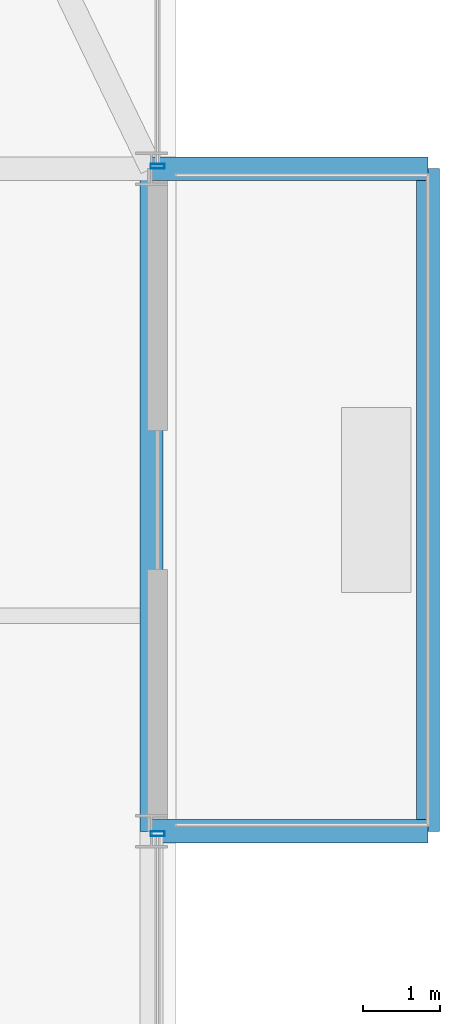
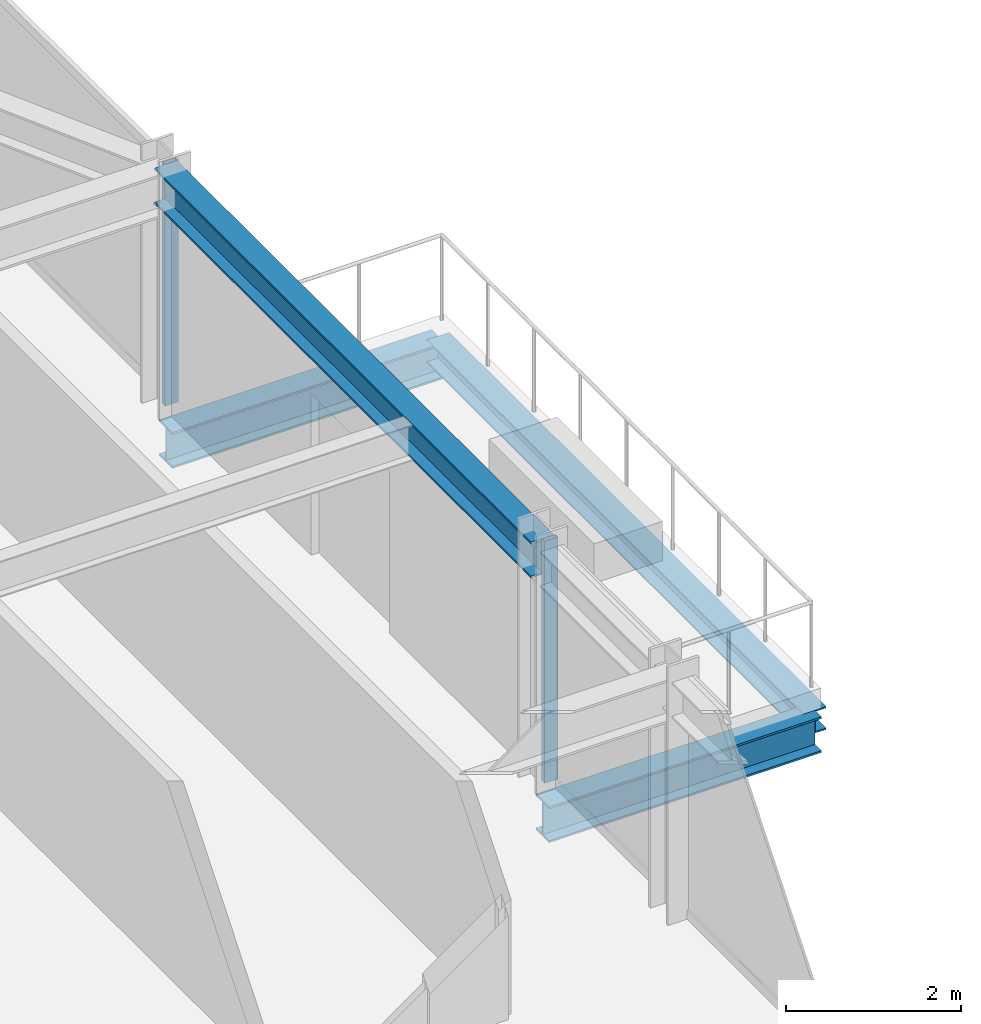
# One storey, part 25 of 36: 4 beams, 2 members, 2 elements without a shape of their own.
"""IFC4 building model written with IfcOpenShell, lengths in metres."""

from ifc_helpers import new_model, si_unit, direction, frame, origin, origin_2d, place, context, subcontext, project, spatial, hollow_rectangle, i_section, extrude, source, transform, mapped, material, material_profile, profile_set, type_object, element, aggregate, save


model = new_model("IFC4")

# Units and contexts
model_context = context("Model", 3, precision=1e-05, world=origin(), true_north=direction((0.0, 1.0)))
body_context = subcontext(model_context, "Body", "Model", "MODEL_VIEW")
ifc_project = project(units=[si_unit("LENGTHUNIT", "METRE"), si_unit("AREAUNIT", "SQUARE_METRE"), si_unit("VOLUMEUNIT", "CUBIC_METRE"), si_unit("PLANEANGLEUNIT", "RADIAN"), si_unit("MASSUNIT", "GRAM", prefix="KILO")], contexts=[model_context])

# Site, building, storey
site_placement = place(None, origin())
site = spatial("IfcSite", under=ifc_project, at=site_placement, CompositionType="ELEMENT")
building_placement = place(site_placement, origin())
building = spatial("IfcBuilding", under=site, at=building_placement, Name="Nahalor Promenade Grand Hotel", CompositionType="ELEMENT")
storey_placement = place(building_placement, frame((0.0, 0.0, 72.550048828125)))
storey = spatial("IfcBuildingStorey", under=building, at=storey_placement, Name="L17", CompositionType="ELEMENT", Elevation=72.550048828125)

# Beams
ifc_material_1 = material(Name="Steel S355JR", Category="steel")
ifc_material_profile_1 = material_profile(ifc_material_1, i_section(OverallWidth=0.3, OverallDepth=0.32, WebThickness=0.0115, FlangeThickness=0.0205, at=origin_2d()), Name="HEB 320")
ifc_profile_set_1 = profile_set([ifc_material_profile_1], Name="Steel S355JR")
beam_type_1 = type_object("IfcBeamType", Name="Beam-BalcEdge-HEB320", PredefinedType="SPANDREL", material=ifc_profile_set_1)
shared_shape_1 = source(origin(), body_context, "Body", "SweptSolid", [
    extrude(i_section(OverallWidth=0.3, OverallDepth=0.32, WebThickness=0.0115, FlangeThickness=0.0205, at=origin_2d()), origin(), (0.0, 0.0, 1.0), 8.60009765625),
])
beam_1_placement = place(storey_placement, frame((28.669921875, 8.39990234375, -0.43994140625), z_axis=(0.0, 1.0, 0.0), x_axis=(-1.0, 0.0, 0.0)))
element("IfcBeam", 1, at=beam_1_placement, inside=storey, type_object=beam_type_1, Name="BM-L17-BC-02-F", PredefinedType="SPANDREL", context=body_context, shape_type="MappedRepresentation", body=[
    mapped(shared_shape_1, transform((0.0, 0.0, 0.0), scale=1.0)),
])
ifc_material_profile_2 = material_profile(ifc_material_1, i_section(OverallWidth=0.3, OverallDepth=0.5, WebThickness=0.0145, FlangeThickness=0.028, at=origin_2d()), Name="HEB 500")
ifc_profile_set_2 = profile_set([ifc_material_profile_2], Name="Steel S355JR")
beam_type_2 = type_object("IfcBeamType", Name="Beam-Outrigger-HEB500", PredefinedType="BEAM", material=ifc_profile_set_2)
shared_shape_2 = source(origin(), body_context, "Body", "SweptSolid", [
    extrude(i_section(OverallWidth=0.3, OverallDepth=0.5, WebThickness=0.0145, FlangeThickness=0.028, at=origin_2d()), origin(), (0.0, 0.0, 1.0), 3.58984375),
])
for number, where, z_axis, x_axis, name in (
    (2, (25.080078125, 8.39990234375, -0.530029296875), (1.0, 0.0, 0.0), (0.0, 1.0, 0.0), "BM-L17-BC-02-1"),
    (3, (25.080078125, 17.0, -0.530029296875), (1.0, 0.0, 0.0), (0.0, 1.0, 0.0), "BM-L17-BC-02-2"),
):
    element("IfcBeam", number, at=place(storey_placement, frame(where, z_axis=z_axis, x_axis=x_axis)), inside=storey, type_object=beam_type_2, Name=name, PredefinedType="BEAM", context=body_context, shape_type="MappedRepresentation", body=[
        mapped(shared_shape_2, transform((0.0, 0.0, 0.0), scale=1.0)),
    ])
ifc_material_profile_3 = material_profile(ifc_material_1, i_section(OverallWidth=0.3, OverallDepth=0.5, WebThickness=0.0145, FlangeThickness=0.028, at=origin_2d()), Name="HEB 500")
ifc_profile_set_3 = profile_set([ifc_material_profile_3], Name="Steel S355JR")
beam_type_3 = type_object("IfcBeamType", Name="Beam-Spandrel-HEB500", PredefinedType="SPANDREL", material=ifc_profile_set_3)
shared_shape_3 = source(origin(), body_context, "Body", "SweptSolid", [
    extrude(i_section(OverallWidth=0.3, OverallDepth=0.5, WebThickness=0.0145, FlangeThickness=0.028, at=origin_2d()), origin(), (0.0, 0.0, 1.0), 8.60009765625),
])
beam_2_placement = place(storey_placement, frame((25.080078125, 8.39990234375, 3.119873046875), z_axis=(0.0, 1.0, 0.0), x_axis=(-1.0, 0.0, 0.0)))
element("IfcBeam", 4, at=beam_2_placement, inside=storey, type_object=beam_type_3, Name="BM-L17-SP-E-4", PredefinedType="SPANDREL", context=body_context, shape_type="MappedRepresentation", body=[
    mapped(shared_shape_3, transform((0.0, 0.0, 0.0), scale=1.0)),
])

# Curtain wall, member
ifc_material_2 = material(Name="Anodised Bronze Aluminium EN AW-6063 T6", Category="aluminium")
curtain_wall_type = type_object("IfcCurtainWallType", Name="CW2 Typical Hotel Flush Bronze Unitised Curtain Wall", PredefinedType="USERDEFINED", material=ifc_material_2)
curtain_wall_1_placement = place(storey_placement, origin())
curtain_wall_1 = element("IfcCurtainWall", 5, at=curtain_wall_1_placement, inside=storey, type_object=curtain_wall_type, Name="L17 Curtain Wall CW-L17-E-1", ObjectType="UNITISED_CURTAIN_WALL", PredefinedType="USERDEFINED")
ifc_material_profile_4 = material_profile(ifc_material_2, hollow_rectangle(XDim=0.065, YDim=0.18, WallThickness=0.004, at=origin_2d()), Name="CWM 65x180x4")
ifc_profile_set_4 = profile_set([ifc_material_profile_4], Name="Anodised Bronze Aluminium EN AW-6063 T6")
member_type = type_object("IfcMemberType", Name="CWM2 Typical Bronze Mullion 65x180", PredefinedType="MULLION", material=ifc_profile_set_4)
shared_shape_4 = source(origin(), body_context, "Body", "SweptSolid", [
    extrude(hollow_rectangle(XDim=0.065, YDim=0.18, WallThickness=0.004, at=origin_2d()), origin(), (0.0, 0.0, 1.0), 3.369873046875),
])
member_1_placement = place(storey_placement, frame((25.159912109375, 8.367431640625, 0.0), z_axis=(0.0, 0.0, 1.0), x_axis=(0.0, 1.0, 0.0)))
member_1 = element("IfcMember", 6, at=member_1_placement, type_object=member_type, Name="CW-L17-E-1 Mullion 3", PredefinedType="MULLION", context=body_context, shape_type="MappedRepresentation", body=[
    mapped(shared_shape_4, transform((0.0, 0.0, 0.0), scale=1.0)),
])
aggregate(curtain_wall_1, [member_1])

curtain_wall_2_placement = place(storey_placement, origin())
curtain_wall_2 = element("IfcCurtainWall", 7, at=curtain_wall_2_placement, inside=storey, type_object=curtain_wall_type, Name="L17 Curtain Wall CW-L17-E-3", ObjectType="UNITISED_CURTAIN_WALL", PredefinedType="USERDEFINED")
member_2_placement = place(storey_placement, frame((25.159912109375, 17.032470703125, 0.0), z_axis=(0.0, 0.0, 1.0), x_axis=(0.0, 1.0, 0.0)))
member_2 = element("IfcMember", 8, at=member_2_placement, type_object=member_type, Name="CW-L17-E-3 Mullion 0", PredefinedType="MULLION", context=body_context, shape_type="MappedRepresentation", body=[
    mapped(shared_shape_4, transform((0.0, 0.0, 0.0), scale=1.0)),
])
aggregate(curtain_wall_2, [member_2])

save(model, "model.ifc")
